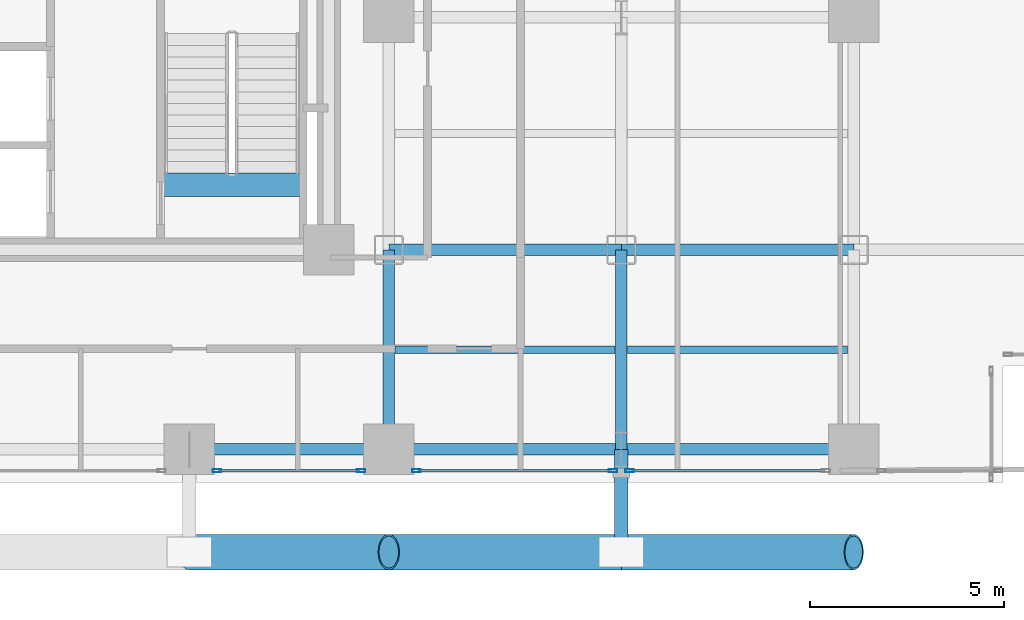
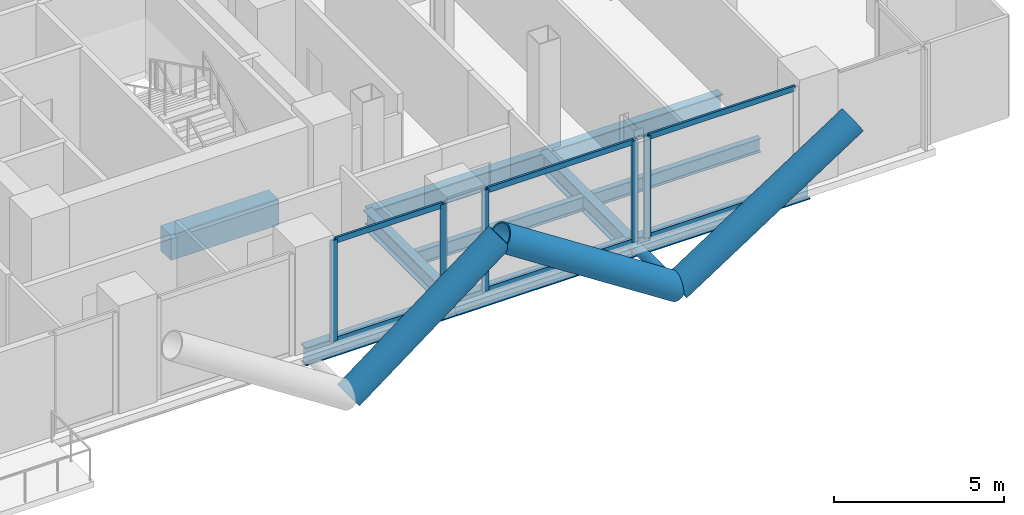
# One storey, part 8 of 25: 15 members, 10 beams, 3 elements without a shape of their own.
"""IFC4 building model written with IfcOpenShell, lengths in metres."""

from ifc_helpers import new_model, si_unit, direction, frame, origin, origin_2d, place, context, subcontext, project, spatial, rectangle, hollow_rectangle, hollow_circle, i_section, extrude, material, layer, layer_set, material_profile, profile_set, type_object, element, aggregate, save


model = new_model("IFC4")

# Units and contexts
model_context = context("Model", 3, precision=1e-05, world=origin(), true_north=direction((0.0, 1.0)))
body_context = subcontext(model_context, "Body", "Model", "MODEL_VIEW")
ifc_project = project(units=[si_unit("LENGTHUNIT", "METRE"), si_unit("AREAUNIT", "SQUARE_METRE"), si_unit("VOLUMEUNIT", "CUBIC_METRE"), si_unit("PLANEANGLEUNIT", "RADIAN"), si_unit("MASSUNIT", "GRAM", prefix="KILO"), si_unit("THERMODYNAMICTEMPERATUREUNIT", "KELVIN"), si_unit("POWERUNIT", "WATT")], contexts=[model_context])

# Site, building, storey
site_placement = place(None, origin())
site = spatial("IfcSite", under=ifc_project, at=site_placement, CompositionType="ELEMENT")
building_placement = place(site_placement, origin())
building = spatial("IfcBuilding", under=site, at=building_placement, Name="Svarakhadi Broadcast Tower", CompositionType="ELEMENT")
storey_placement = place(building_placement, frame((0.0, 0.0, 48.0)))
storey = spatial("IfcBuildingStorey", under=building, at=storey_placement, Name="L10", CompositionType="ELEMENT", Elevation=48.0)

# Beams
ifc_material_1 = material(Name="Steel S355J2 (IS 2062 E350C)", Category="steel")
ifc_material_profile_1 = material_profile(ifc_material_1, i_section(OverallWidth=0.199951171875, OverallDepth=0.5, WebThickness=0.01025390625, FlangeThickness=0.01611328125, FilletRadius=0.02099609375, at=origin_2d()), Name="NPB 500x200x91")
ifc_profile_set_1 = profile_set([ifc_material_profile_1], Name="Steel S355J2 (IS 2062 E350C)")
beam_type_1 = type_object("IfcBeamType", Name="Beam_NPB500", PredefinedType="BEAM", material=ifc_profile_set_1)
for number, where, z_axis, x_axis, name in (
    (1, (35.31005859375, 3.425048828125, -0.5), (1.0, 0.0, 0.0), (0.0, 1.0, 0.0), "L10 Secondary Composite Beam SB022"),
    (2, (41.31005859375, 3.425048828125, -0.5), (1.0, 0.0, 0.0), (0.0, 1.0, 0.0), "L10 Secondary Composite Beam SB025"),
):
    element("IfcBeam", number, at=place(storey_placement, frame(where, z_axis=z_axis, x_axis=x_axis)), inside=storey, type_object=beam_type_1, Name=name, PredefinedType="BEAM", context=body_context, shape_type="SweptSolid", body=[
        extrude(i_section(OverallWidth=0.199951171875, OverallDepth=0.5, WebThickness=0.01025390625, FlangeThickness=0.01611328125, FilletRadius=0.02099609375, at=origin_2d()), origin(), (0.0, 0.0, 1.0), 5.679931640625),
    ])

# Curtain wall, member
ifc_material_2 = material(Name="Anodised Bronze Aluminium AA 6063-T6", Category="aluminium")
ifc_layer = layer(ifc_material_2, 0.219970703125)
ifc_layer_set = layer_set([ifc_layer], Name="Anodised Bronze Aluminium AA 6063-T6")
curtain_wall_type = type_object("IfcCurtainWallType", Name="CW_Sys_02", PredefinedType="NOTDEFINED", material=ifc_layer_set)
curtain_wall_1_placement = place(storey_placement, origin())
curtain_wall_1 = element("IfcCurtainWall", 3, at=curtain_wall_1_placement, inside=storey, type_object=curtain_wall_type, Name="L10 South Curtain Wall 16 Bay 2", PredefinedType="NOTDEFINED")
ifc_material_profile_2 = material_profile(ifc_material_2, hollow_rectangle(XDim=0.0849609375, YDim=0.219970703125, WallThickness=0.006103515625, at=origin_2d()), Name="ALU MULLION 220x85x6")
ifc_profile_set_2 = profile_set([ifc_material_profile_2], Name="Anodised Bronze Aluminium AA 6063-T6")
member_type_1 = type_object("IfcMemberType", Name="CW_Sys_02_Mul", PredefinedType="MULLION", material=ifc_profile_set_2)
member_1_placement = place(storey_placement, frame((41.362548828125, 0.300048828125, 0.0), z_axis=(0.0, 0.0, 1.0), x_axis=(0.0, -1.0, 0.0)))
member_1 = element("IfcMember", 4, at=member_1_placement, type_object=member_type_1, Name="CW-02 mullion 2", PredefinedType="MULLION", context=body_context, shape_type="SweptSolid", body=[
    extrude(hollow_rectangle(XDim=0.0849609375, YDim=0.219970703125, WallThickness=0.006103515625, at=origin_2d()), origin(), (0.0, 0.0, 1.0), 3.64990234375),
])

# Curtain wall, members
curtain_wall_2_placement = place(storey_placement, origin())
curtain_wall_2 = element("IfcCurtainWall", 5, at=curtain_wall_2_placement, inside=storey, type_object=curtain_wall_type, Name="L10 South Curtain Wall 16 Bay 3", PredefinedType="NOTDEFINED")
member_2_placement = place(storey_placement, frame((40.9375, 0.300048828125, 0.0), z_axis=(0.0, 0.0, 1.0), x_axis=(0.0, -1.0, 0.0)))
member_2 = element("IfcMember", 6, at=member_2_placement, type_object=member_type_1, Name="CW-02 mullion 1", PredefinedType="MULLION", context=body_context, shape_type="SweptSolid", body=[
    extrude(hollow_rectangle(XDim=0.0849609375, YDim=0.219970703125, WallThickness=0.006103515625, at=origin_2d()), origin(), (0.0, 0.0, 1.0), 3.64990234375),
])
member_3_placement = place(storey_placement, frame((35.862548828125, 0.300048828125, 0.0), z_axis=(0.0, 0.0, 1.0), x_axis=(0.0, -1.0, 0.0)))
member_3 = element("IfcMember", 7, at=member_3_placement, type_object=member_type_1, Name="CW-02 mullion 2", PredefinedType="MULLION", context=body_context, shape_type="SweptSolid", body=[
    extrude(hollow_rectangle(XDim=0.0849609375, YDim=0.219970703125, WallThickness=0.006103515625, at=origin_2d()), origin(), (0.0, 0.0, 1.0), 3.64990234375),
])

curtain_wall_3_placement = place(storey_placement, origin())
curtain_wall_3 = element("IfcCurtainWall", 8, at=curtain_wall_3_placement, inside=storey, type_object=curtain_wall_type, Name="L10 South Curtain Wall 16 Bay 4", PredefinedType="NOTDEFINED")
member_4_placement = place(storey_placement, frame((34.4375, 0.300048828125, 0.0), z_axis=(0.0, 0.0, 1.0), x_axis=(0.0, -1.0, 0.0)))
member_4 = element("IfcMember", 9, at=member_4_placement, type_object=member_type_1, Name="CW-02 mullion 1", PredefinedType="MULLION", context=body_context, shape_type="SweptSolid", body=[
    extrude(hollow_rectangle(XDim=0.0849609375, YDim=0.219970703125, WallThickness=0.006103515625, at=origin_2d()), origin(), (0.0, 0.0, 1.0), 3.64990234375),
])
member_5_placement = place(storey_placement, frame((30.71240234375, 0.300048828125, 0.0), z_axis=(0.0, 0.0, 1.0), x_axis=(0.0, -1.0, 0.0)))
member_5 = element("IfcMember", 10, at=member_5_placement, type_object=member_type_1, Name="CW-02 mullion 2", PredefinedType="MULLION", context=body_context, shape_type="SweptSolid", body=[
    extrude(hollow_rectangle(XDim=0.0849609375, YDim=0.219970703125, WallThickness=0.006103515625, at=origin_2d()), origin(), (0.0, 0.0, 1.0), 3.64990234375),
])

# Member
ifc_material_profile_3 = material_profile(ifc_material_2, hollow_rectangle(XDim=0.074951171875, YDim=0.199951171875, WallThickness=0.0048828125, at=origin_2d()), Name="ALU TRANSOM 200x75x5")
ifc_profile_set_3 = profile_set([ifc_material_profile_3], Name="Anodised Bronze Aluminium AA 6063-T6")
member_type_2 = type_object("IfcMemberType", Name="CW_Sys_02_Trn", PredefinedType="USERDEFINED", material=ifc_profile_set_3)
member_6_placement = place(storey_placement, frame((46.39501953125, 0.300048828125, 0.03759765625), z_axis=(-1.0, 0.0, 0.0), x_axis=(0.0, -1.0, 0.0)))
member_6 = element("IfcMember", 11, at=member_6_placement, type_object=member_type_2, Name="CW-02 transom 1.1", ObjectType="TRANSOM", PredefinedType="USERDEFINED", context=body_context, shape_type="SweptSolid", body=[
    extrude(hollow_rectangle(XDim=0.074951171875, YDim=0.199951171875, WallThickness=0.0048828125, at=origin_2d()), origin(), (0.0, 0.0, 1.0), 4.989990234375),
])

member_7_placement = place(storey_placement, frame((46.39501953125, 0.300048828125, 3.612548828125), z_axis=(-1.0, 0.0, 0.0), x_axis=(0.0, -1.0, 0.0)))
member_7 = element("IfcMember", 12, at=member_7_placement, type_object=member_type_2, Name="CW-02 transom 1.2", ObjectType="TRANSOM", PredefinedType="USERDEFINED", context=body_context, shape_type="SweptSolid", body=[
    extrude(hollow_rectangle(XDim=0.074951171875, YDim=0.199951171875, WallThickness=0.0048828125, at=origin_2d()), origin(), (0.0, 0.0, 1.0), 4.989990234375),
])

aggregate(curtain_wall_1, [member_1, member_6, member_7])

member_8_placement = place(storey_placement, frame((40.89501953125, 0.300048828125, 0.03759765625), z_axis=(-1.0, 0.0, 0.0), x_axis=(0.0, -1.0, 0.0)))
member_8 = element("IfcMember", 13, at=member_8_placement, type_object=member_type_2, Name="CW-02 transom 1.1", ObjectType="TRANSOM", PredefinedType="USERDEFINED", context=body_context, shape_type="SweptSolid", body=[
    extrude(hollow_rectangle(XDim=0.074951171875, YDim=0.199951171875, WallThickness=0.0048828125, at=origin_2d()), origin(), (0.0, 0.0, 1.0), 4.989990234375),
])

member_9_placement = place(storey_placement, frame((40.89501953125, 0.300048828125, 3.612548828125), z_axis=(-1.0, 0.0, 0.0), x_axis=(0.0, -1.0, 0.0)))
member_9 = element("IfcMember", 14, at=member_9_placement, type_object=member_type_2, Name="CW-02 transom 1.2", ObjectType="TRANSOM", PredefinedType="USERDEFINED", context=body_context, shape_type="SweptSolid", body=[
    extrude(hollow_rectangle(XDim=0.074951171875, YDim=0.199951171875, WallThickness=0.0048828125, at=origin_2d()), origin(), (0.0, 0.0, 1.0), 4.989990234375),
])

aggregate(curtain_wall_2, [member_2, member_3, member_8, member_9])

member_10_placement = place(storey_placement, frame((34.39501953125, 0.300048828125, 0.03759765625), z_axis=(-1.0, 0.0, 0.0), x_axis=(0.0, -1.0, 0.0)))
member_10 = element("IfcMember", 15, at=member_10_placement, type_object=member_type_2, Name="CW-02 transom 1.1", ObjectType="TRANSOM", PredefinedType="USERDEFINED", context=body_context, shape_type="SweptSolid", body=[
    extrude(hollow_rectangle(XDim=0.074951171875, YDim=0.199951171875, WallThickness=0.0048828125, at=origin_2d()), origin(), (0.0, 0.0, 1.0), 3.64013671875),
])

member_11_placement = place(storey_placement, frame((34.39501953125, 0.300048828125, 3.612548828125), z_axis=(-1.0, 0.0, 0.0), x_axis=(0.0, -1.0, 0.0)))
member_11 = element("IfcMember", 16, at=member_11_placement, type_object=member_type_2, Name="CW-02 transom 1.2", ObjectType="TRANSOM", PredefinedType="USERDEFINED", context=body_context, shape_type="SweptSolid", body=[
    extrude(hollow_rectangle(XDim=0.074951171875, YDim=0.199951171875, WallThickness=0.0048828125, at=origin_2d()), origin(), (0.0, 0.0, 1.0), 3.64013671875),
])

aggregate(curtain_wall_3, [member_4, member_5, member_10, member_11])

# Beam
ifc_material_3 = material(Name="Concrete C50/60 (IS 456 M60)", Category="concrete")
ifc_material_profile_4 = material_profile(ifc_material_3, rectangle(XDim=0.60009765625, YDim=0.89990234375, at=origin_2d()), Name="RC 600x900")
ifc_profile_set_4 = profile_set([ifc_material_profile_4], Name="Concrete C50/60 (IS 456 M60)")
beam_type_2 = type_object("IfcBeamType", Name="Coupling_RC600", PredefinedType="USERDEFINED", material=ifc_profile_set_4)
beam_1_placement = place(storey_placement, frame((29.260009765625, 7.679931640625, -0.449951171875), z_axis=(1.0, 0.0, 0.0), x_axis=(0.0, 1.0, 0.0)))
element("IfcBeam", 17, at=beam_1_placement, inside=storey, type_object=beam_type_2, Name="L10 Stair ST-02 Landing Throat Trimmer Beam CB-01", ObjectType="GIRDER", PredefinedType="USERDEFINED", context=body_context, shape_type="SweptSolid", body=[
    extrude(rectangle(XDim=0.60009765625, YDim=0.89990234375, at=origin_2d()), origin(), (0.0, 0.0, 1.0), 3.679931640625),
])

# Members
ifc_material_4 = material(Name="Steel S460ML (IS 2062 E450BR)", Category="steel")
ifc_material_profile_5 = material_profile(ifc_material_4, hollow_circle(Radius=0.45703125, WallThickness=0.044921875, at=origin_2d()), Name="CHS 914x45")
ifc_profile_set_5 = profile_set([ifc_material_profile_5], Name="Steel S460ML (IS 2062 E450BR)")
member_type_3 = type_object("IfcMemberType", Name="Exo_Brace_CHS914", PredefinedType="BRACE", material=ifc_profile_set_5)
member_12_placement = place(storey_placement, frame((30.0, -1.800048828125, -0.427734375), z_axis=(0.797206791841, 0.0, 0.603706328476), x_axis=(0.0, 1.0, 0.0)))
element("IfcMember", 18, at=member_12_placement, inside=storey, type_object=member_type_3, Name="L10 Exposed Bronze Exoskeleton Diagonal S02", PredefinedType="BRACE", context=body_context, shape_type="SweptSolid", body=[
    extrude(hollow_circle(Radius=0.45703125, WallThickness=0.044921875, at=origin_2d()), origin(), (0.0, 0.0, 1.0), 6.4599609375),
])
for number, where, z_axis, x_axis, name in (
    (19, (41.14990234375, -1.800048828125, -0.427734375), (-0.838449851971, 0.0, 0.544978757136), (0.0, -1.0, 0.0), "L10 Exposed Bronze Exoskeleton Diagonal S03"),
    (20, (41.14990234375, -1.800048828125, -0.427734375), (0.838449851971, 0.0, 0.544978757136), (0.0, 1.0, 0.0), "L10 Exposed Bronze Exoskeleton Diagonal S04"),
):
    element("IfcMember", number, at=place(storey_placement, frame(where, z_axis=z_axis, x_axis=x_axis)), inside=storey, type_object=member_type_3, Name=name, PredefinedType="BRACE", context=body_context, shape_type="SweptSolid", body=[
        extrude(hollow_circle(Radius=0.45703125, WallThickness=0.044921875, at=origin_2d()), origin(), (0.0, 0.0, 1.0), 7.156005859375),
    ])
ifc_material_profile_6 = material_profile(ifc_material_4, hollow_circle(Radius=0.177734375, WallThickness=0.02001953125, at=origin_2d()), Name="CHS 355.6x20")
ifc_profile_set_6 = profile_set([ifc_material_profile_6], Name="Steel S460ML (IS 2062 E450BR)")
member_type_4 = type_object("IfcMemberType", Name="Exo_Radial_Strut_Z1", PredefinedType="STRUT", material=ifc_profile_set_6)
member_13_placement = place(storey_placement, frame((41.14990234375, -1.800048828125, -0.427734375), z_axis=(0.0, 1.0, 0.0), x_axis=(-1.0, 0.0, 0.0)))
element("IfcMember", 21, at=member_13_placement, inside=storey, type_object=member_type_4, Name="L10 Exoskeleton Radial Tie Strut S04", PredefinedType="STRUT", context=body_context, shape_type="SweptSolid", body=[
    extrude(hollow_circle(Radius=0.177734375, WallThickness=0.02001953125, at=origin_2d()), origin(), (0.0, 0.0, 1.0), 2.650146484375),
])

# Beams
ifc_material_profile_7 = material_profile(ifc_material_1, i_section(OverallWidth=0.300048828125, OverallDepth=0.64990234375, WebThickness=0.01611328125, FlangeThickness=0.031005859375, FilletRadius=0.027099609375, at=origin_2d()), Name="WPB 650x300x225")
ifc_profile_set_7 = profile_set([ifc_material_profile_7], Name="Steel S355J2 (IS 2062 E350C)")
beam_type_3 = type_object("IfcBeamType", Name="Girder_WPB650", PredefinedType="USERDEFINED", material=ifc_profile_set_7)
beam_2_placement = place(storey_placement, frame((30.0, 0.85009765625, -0.574951171875), z_axis=(1.0, 0.0, 0.0), x_axis=(0.0, 1.0, 0.0)))
element("IfcBeam", 22, at=beam_2_placement, inside=storey, type_object=beam_type_3, Name="L10 Primary E-W Girder G008", ObjectType="GIRDER", PredefinedType="USERDEFINED", context=body_context, shape_type="SweptSolid", body=[
    extrude(i_section(OverallWidth=0.300048828125, OverallDepth=0.64990234375, WebThickness=0.01611328125, FlangeThickness=0.031005859375, FilletRadius=0.027099609375, at=origin_2d()), origin(), (0.0, 0.0, 1.0), 5.14990234375),
])
for number, where, z_axis, x_axis, name in (
    (23, (35.14990234375, 0.85009765625, -0.574951171875), (1.0, 0.0, 0.0), (0.0, 1.0, 0.0), "L10 Primary E-W Girder G009"),
    (24, (41.14990234375, 0.85009765625, -0.574951171875), (1.0, 0.0, 0.0), (0.0, 1.0, 0.0), "L10 Primary E-W Girder G010"),
    (25, (35.14990234375, 6.0, -0.574951171875), (1.0, 0.0, 0.0), (0.0, 1.0, 0.0), "L10 Primary E-W Girder G016"),
    (26, (41.14990234375, 6.0, -0.574951171875), (1.0, 0.0, 0.0), (0.0, 1.0, 0.0), "L10 Primary E-W Girder G017"),
):
    element("IfcBeam", number, at=place(storey_placement, frame(where, z_axis=z_axis, x_axis=x_axis)), inside=storey, type_object=beam_type_3, Name=name, ObjectType="GIRDER", PredefinedType="USERDEFINED", context=body_context, shape_type="SweptSolid", body=[
        extrude(i_section(OverallWidth=0.300048828125, OverallDepth=0.64990234375, WebThickness=0.01611328125, FlangeThickness=0.031005859375, FilletRadius=0.027099609375, at=origin_2d()), origin(), (0.0, 0.0, 1.0), 6.0),
    ])
for number, where, z_axis, x_axis, name in (
    (27, (35.14990234375, 0.85009765625, -0.574951171875), (0.0, 1.0, 0.0), (-1.0, 0.0, 0.0), "L10 Primary N-S Girder G076"),
    (28, (41.14990234375, 0.85009765625, -0.574951171875), (0.0, 1.0, 0.0), (-1.0, 0.0, 0.0), "L10 Primary N-S Girder G079"),
):
    element("IfcBeam", number, at=place(storey_placement, frame(where, z_axis=z_axis, x_axis=x_axis)), inside=storey, type_object=beam_type_3, Name=name, ObjectType="GIRDER", PredefinedType="USERDEFINED", context=body_context, shape_type="SweptSolid", body=[
        extrude(i_section(OverallWidth=0.300048828125, OverallDepth=0.64990234375, WebThickness=0.01611328125, FlangeThickness=0.031005859375, FilletRadius=0.027099609375, at=origin_2d()), origin(), (0.0, 0.0, 1.0), 5.14990234375),
    ])

save(model, "model.ifc")
